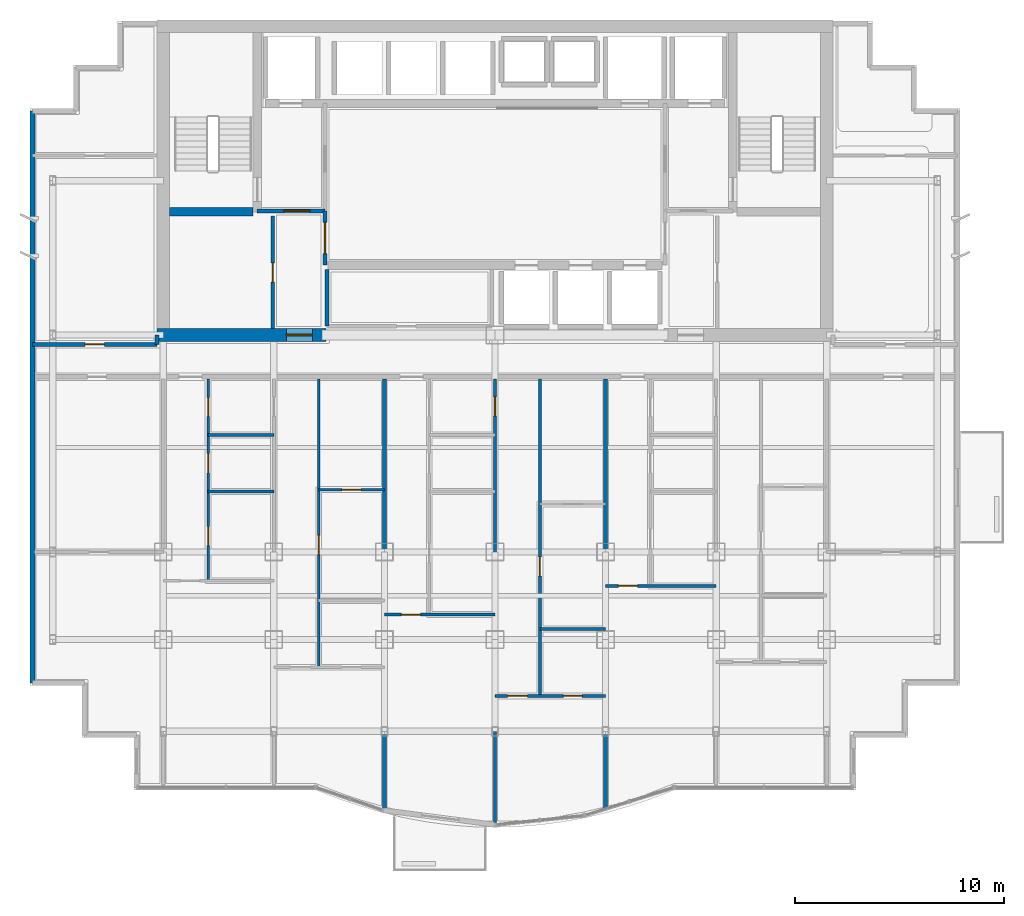
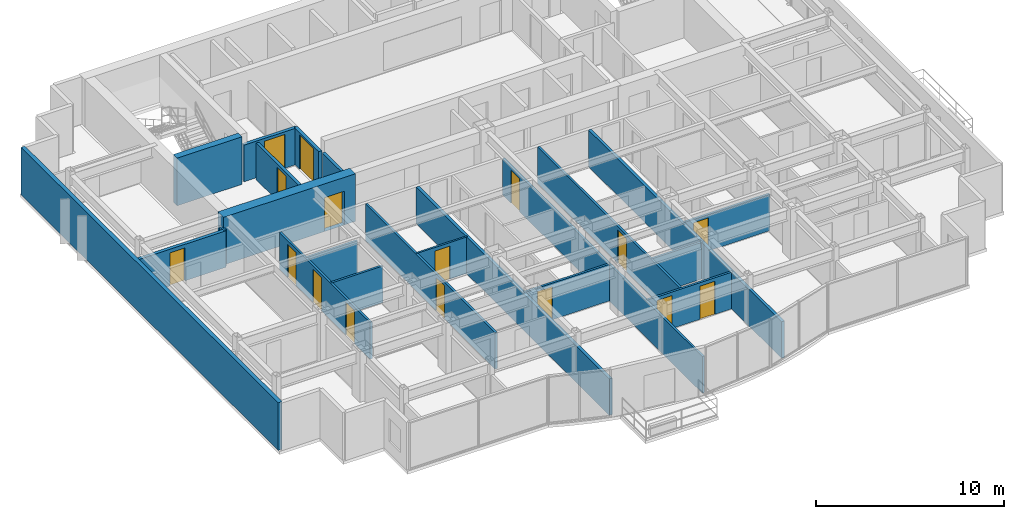
# One storey, part 6 of 11: 22 walls, 16 doors, 16 openings.
"""IFC4 building model written with IfcOpenShell, lengths in metres."""

from ifc_helpers import new_model, si_unit, direction, frame, frame_2d, origin, place, context, subcontext, project, spatial, rectangle, extrude, material, layer, layer_set, type_object, element, fill, save


model = new_model("IFC4")

# Units and contexts
model_context = context("Model", 3, precision=1e-05, world=origin(), true_north=direction((0.0, 1.0)))
body_context = subcontext(model_context, "Body", "Model", "MODEL_VIEW")
ifc_project = project(units=[si_unit("LENGTHUNIT", "METRE"), si_unit("AREAUNIT", "SQUARE_METRE"), si_unit("VOLUMEUNIT", "CUBIC_METRE"), si_unit("PLANEANGLEUNIT", "RADIAN"), si_unit("MASSUNIT", "GRAM", prefix="KILO")], contexts=[model_context])

# Site, building, storey
site_placement = place(None, origin())
site = spatial("IfcSite", under=ifc_project, at=site_placement, CompositionType="ELEMENT")
building_placement = place(site_placement, origin())
building = spatial("IfcBuilding", under=site, at=building_placement, Name="Qianlan Lanfeng Residences", CompositionType="ELEMENT")
storey_placement = place(building_placement, frame((0.0, 0.0, 165.60009765625)))
storey = spatial("IfcBuildingStorey", under=building, at=storey_placement, Name="L45", CompositionType="ELEMENT", Elevation=165.60009765625)

# Wall
ifc_material_1 = material(Name="Concrete C56", Category="concrete")
ifc_layer_1 = layer(ifc_material_1, 0.39990234375)
ifc_layer_set_1 = layer_set([ifc_layer_1], Name="Concrete C56")
wall_type_1 = type_object("IfcWallType", Name="CW-RC-400", PredefinedType="SHEAR", material=ifc_layer_set_1)
wall_1_placement = place(storey_placement, frame((10.89990234375, 31.10009765625, 0.0), z_axis=(0.0, 0.0, 1.0), x_axis=(1.0, 0.0, 0.0)))
element("IfcWall", 1, at=wall_1_placement, inside=storey, type_object=wall_type_1, Name="L45 Core Shear Wall ST1S", PredefinedType="SHEAR", context=body_context, shape_type="SweptSolid", body=[
    extrude(rectangle(XDim=4.0, YDim=0.39990234375, at=frame_2d((2.0, 0.0))), origin(), (0.0, 0.0, 1.0), 3.099853515625),
])

# Wall, opening, door
ifc_layer_2 = layer(ifc_material_1, 0.60009765625)
ifc_layer_set_2 = layer_set([ifc_layer_2], Name="Concrete C56")
wall_type_2 = type_object("IfcWallType", Name="CW-RC-600", PredefinedType="SHEAR", material=ifc_layer_set_2)
wall_2_placement = place(storey_placement, frame((10.300048828125, 25.199951171875, 0.0), z_axis=(0.0, 0.0, 1.0), x_axis=(1.0, 0.0, 0.0)))
wall_2 = element("IfcWall", 2, at=wall_2_placement, inside=storey, type_object=wall_type_2, Name="L45 Core Shear Wall SW", PredefinedType="SHEAR", context=body_context, shape_type="SweptSolid", body=[
    extrude(rectangle(XDim=8.099853515625, YDim=0.60009765625, at=frame_2d((4.0498046875, 0.0))), origin(), (0.0, 0.0, 1.0), 3.099853515625),
])
opening_1_placement = place(wall_2_placement, frame((6.199951171875, 0.0, 0.0)))
opening_1 = element("IfcOpeningElement", 3, at=opening_1_placement, cuts=wall_2, Name="Opening L45-D01", PredefinedType="OPENING", context=body_context, shape_type="SweptSolid", body=[
    extrude(rectangle(XDim=1.25, YDim=2.199951171875, at=frame_2d((0.625, 1.10009765625))), frame((0.0, 0.31005859375, 0.0), z_axis=(0.0, -1.0, 0.0), x_axis=(1.0, 0.0, 0.0)), (0.0, 0.0, 1.0), 0.6201171875),
])
ifc_material_2 = material(Name="Painted Galvanised Steel Fire Door", Category="steel")
door_type_1 = type_object("IfcDoorType", Name="DT-FFL", OperationType="NOTDEFINED", PredefinedType="DOOR", material=ifc_material_2)
door_1_placement = place(opening_1_placement, origin())
door_1 = element("IfcDoor", 4, at=door_1_placement, inside=storey, type_object=door_type_1, Name="L45 West Core Lobby Smoke Door L45-D01 (DT-FFL)", OperationType="SINGLE_SWING_RIGHT", OverallHeight=2.199951171875, OverallWidth=1.25, PredefinedType="DOOR", context=body_context, shape_type="SweptSolid", body=[
    extrude(rectangle(XDim=1.25, YDim=2.199951171875, at=frame_2d((0.625, 1.10009765625))), frame((0.0, 0.02490234375, 0.0), z_axis=(0.0, -1.0, 0.0), x_axis=(1.0, 0.0, 0.0)), (0.0, 0.0, 1.0), 0.050048828125),
])
fill(opening_1, door_1)

# Wall
ifc_material_3 = material(Name="Concrete C42", Category="concrete")
ifc_layer_3 = layer(ifc_material_3, 0.239990234375)
ifc_layer_set_3 = layer_set([ifc_layer_3], Name="Concrete C42")
wall_type_3 = type_object("IfcWallType", Name="EW-240", PredefinedType="SOLIDWALL", material=ifc_layer_set_3)
wall_3_placement = place(storey_placement, frame((4.320068359375, 35.929931640625, 0.0), z_axis=(0.0, 0.0, 1.0), x_axis=(0.0, -1.0, 0.0)))
element("IfcWall", 5, at=wall_3_placement, inside=storey, type_object=wall_type_3, Name="L45 Exterior Facade Spandrel Wall 21", PredefinedType="SOLIDWALL", context=body_context, shape_type="SweptSolid", body=[
    extrude(rectangle(XDim=27.409912109375, YDim=0.239990234375, at=frame_2d((13.705078125, 0.0))), origin(), (0.0, 0.0, 1.0), 3.099853515625),
])

# Wall, opening, door
ifc_material_4 = material(Name="Demountable Acoustic Framing Partition 110 mm")
ifc_layer_4 = layer(ifc_material_4, 0.110107421875)
ifc_layer_set_4 = layer_set([ifc_layer_4], Name="Demountable Acoustic Framing Partition 110 mm")
wall_type_4 = type_object("IfcWallType", Name="PW-110", PredefinedType="MOVABLE", material=ifc_layer_set_4)
wall_4_placement = place(storey_placement, frame((18.050048828125, 17.787109375, 0.0), z_axis=(0.0, 0.0, 1.0), x_axis=(1.0, 0.0, 0.0)))
wall_4 = element("IfcWall", 6, at=wall_4_placement, inside=storey, type_object=wall_type_4, Name="L45 U01 Wardrobe Split", PredefinedType="MOVABLE", context=body_context, shape_type="SweptSolid", body=[
    extrude(rectangle(XDim=3.14990234375, YDim=0.110107421875, at=frame_2d((1.574951171875, 0.0))), origin(), (0.0, 0.0, 1.0), 2.3798828125),
])
opening_2_placement = place(wall_4_placement, frame((1.114990234375, 0.0, 0.0)))
opening_2 = element("IfcOpeningElement", 7, at=opening_2_placement, cuts=wall_4, Name="Opening L45-D23", PredefinedType="OPENING", context=body_context, shape_type="SweptSolid", body=[
    extrude(rectangle(XDim=0.919921875, YDim=2.14990234375, at=frame_2d((0.4599609375, 1.074951171875))), frame((0.0, 0.06494140625, 0.0), z_axis=(0.0, -1.0, 0.0), x_axis=(1.0, 0.0, 0.0)), (0.0, 0.0, 1.0), 0.130126953125),
])
ifc_material_5 = material(Name="Glazed Timber Kitchen/Study Door", Category="wood")
door_type_2 = type_object("IfcDoorType", Name="DT-INT", OperationType="NOTDEFINED", PredefinedType="DOOR", material=ifc_material_5)
door_2_placement = place(opening_2_placement, origin())
door_2 = element("IfcDoor", 8, at=door_2_placement, inside=storey, type_object=door_type_2, Name="L45 U01 Dressing Inner Door L45-D23 (DT-INT)", OperationType="SINGLE_SWING_RIGHT", OverallHeight=2.14990234375, OverallWidth=0.919921875, PredefinedType="DOOR", context=body_context, shape_type="SweptSolid", body=[
    extrude(rectangle(XDim=0.919921875, YDim=2.14990234375, at=frame_2d((0.4599609375, 1.074951171875))), frame((0.0, 0.02490234375, 0.0), z_axis=(0.0, -1.0, 0.0), x_axis=(1.0, 0.0, 0.0)), (0.0, 0.0, 1.0), 0.050048828125),
])
fill(opening_2, door_2)

# Wall, openings, doors
ifc_material_6 = material(Name="Moisture-Resistant Gypsum Partition 135 mm")
ifc_layer_5 = layer(ifc_material_6, 0.135009765625)
ifc_layer_set_5 = layer_set([ifc_layer_5], Name="Moisture-Resistant Gypsum Partition 135 mm")
wall_type_5 = type_object("IfcWallType", Name="PW-135", PredefinedType="PARTITIONING", material=ifc_layer_set_5)
wall_5_placement = place(storey_placement, frame((12.75, 13.419921875, 0.0), z_axis=(0.0, 0.0, 1.0), x_axis=(0.0, 1.0, 0.0)))
wall_5 = element("IfcWall", 9, at=wall_5_placement, inside=storey, type_object=wall_type_5, Name="L45 U01 Entry Hall Spine", PredefinedType="PARTITIONING", context=body_context, shape_type="SweptSolid", body=[
    extrude(rectangle(XDim=9.68017578125, YDim=0.135009765625, at=frame_2d((4.840087890625, 0.0))), origin(), (0.0, 0.0, 1.0), 2.3798828125),
])
opening_3_placement = place(wall_5_placement, frame((1.679931640625, 0.0, 0.0)))
opening_3 = element("IfcOpeningElement", 10, at=opening_3_placement, cuts=wall_5, Name="Opening L45-D17", PredefinedType="OPENING", context=body_context, shape_type="SweptSolid", body=[
    extrude(rectangle(XDim=0.919921875, YDim=2.14990234375, at=frame_2d((0.4599609375, 1.074951171875))), frame((0.0, 0.07763671875, 0.0), z_axis=(0.0, -1.0, 0.0), x_axis=(1.0, 0.0, 0.0)), (0.0, 0.0, 1.0), 0.155029296875),
])
opening_4_placement = place(wall_5_placement, frame((5.169921875, 0.0, 0.0)))
opening_4 = element("IfcOpeningElement", 11, at=opening_4_placement, cuts=wall_5, Name="Opening L45-D18", PredefinedType="OPENING", context=body_context, shape_type="SweptSolid", body=[
    extrude(rectangle(XDim=0.919921875, YDim=2.14990234375, at=frame_2d((0.4599609375, 1.074951171875))), frame((0.0, 0.07763671875, 0.0), z_axis=(0.0, -1.0, 0.0), x_axis=(1.0, 0.0, 0.0)), (0.0, 0.0, 1.0), 0.155029296875),
])
opening_5_placement = place(wall_5_placement, frame((7.8798828125, 0.0, 0.0)))
opening_5 = element("IfcOpeningElement", 12, at=opening_5_placement, cuts=wall_5, Name="Opening L45-D19", PredefinedType="OPENING", context=body_context, shape_type="SweptSolid", body=[
    extrude(rectangle(XDim=0.89990234375, YDim=2.14990234375, at=frame_2d((0.449951171875, 1.074951171875))), frame((0.0, 0.07763671875, 0.0), z_axis=(0.0, -1.0, 0.0), x_axis=(1.0, 0.0, 0.0)), (0.0, 0.0, 1.0), 0.155029296875),
])
door_3_placement = place(opening_3_placement, origin())
door_3 = element("IfcDoor", 13, at=door_3_placement, inside=storey, type_object=door_type_2, Name="L45 U01 Study Door L45-D17 (DT-INT)", OperationType="SINGLE_SWING_RIGHT", OverallHeight=2.14990234375, OverallWidth=0.919921875, PredefinedType="DOOR", context=body_context, shape_type="SweptSolid", body=[
    extrude(rectangle(XDim=0.919921875, YDim=2.14990234375, at=frame_2d((0.4599609375, 1.074951171875))), frame((0.0, 0.02490234375, 0.0), z_axis=(0.0, -1.0, 0.0), x_axis=(1.0, 0.0, 0.0)), (0.0, 0.0, 1.0), 0.050048828125),
])
fill(opening_3, door_3)
door_4_placement = place(opening_4_placement, origin())
door_4 = element("IfcDoor", 14, at=door_4_placement, inside=storey, type_object=door_type_2, Name="L45 U01 Kitchen Door L45-D18 (DT-INT)", OperationType="SINGLE_SWING_LEFT", OverallHeight=2.14990234375, OverallWidth=0.919921875, PredefinedType="DOOR", context=body_context, shape_type="SweptSolid", body=[
    extrude(rectangle(XDim=0.919921875, YDim=2.14990234375, at=frame_2d((0.4599609375, 1.074951171875))), frame((0.0, 0.02490234375, 0.0), z_axis=(0.0, -1.0, 0.0), x_axis=(1.0, 0.0, 0.0)), (0.0, 0.0, 1.0), 0.050048828125),
])
fill(opening_4, door_4)
ifc_material_7 = material(Name="Moisture-Resistant Timber Leaf", Category="wood")
door_type_3 = type_object("IfcDoorType", Name="DT-WC", OperationType="NOTDEFINED", PredefinedType="DOOR", material=ifc_material_7)
door_5_placement = place(opening_5_placement, origin())
door_5 = element("IfcDoor", 15, at=door_5_placement, inside=storey, type_object=door_type_3, Name="L45 U01 Bathroom Door L45-D19 (DT-WC)", OperationType="SINGLE_SWING_RIGHT", OverallHeight=2.14990234375, OverallWidth=0.89990234375, PredefinedType="DOOR", context=body_context, shape_type="SweptSolid", body=[
    extrude(rectangle(XDim=0.89990234375, YDim=2.14990234375, at=frame_2d((0.449951171875, 1.074951171875))), frame((0.0, 0.02490234375, 0.0), z_axis=(0.0, -1.0, 0.0), x_axis=(1.0, 0.0, 0.0)), (0.0, 0.0, 1.0), 0.050048828125),
])
fill(opening_5, door_5)

# Walls
for number, where, z_axis, x_axis, name in (
    (16, (12.75, 17.699951171875, 0.0), (0.0, 0.0, 1.0), (1.0, 0.0, 0.0), "L45 U01 Kitchen South Wall"),
    (17, (12.75, 20.39990234375, 0.0), (0.0, 0.0, 1.0), (1.0, 0.0, 0.0), "L45 U01 Bathroom South Wall"),
):
    element("IfcWall", number, at=place(storey_placement, frame(where, z_axis=z_axis, x_axis=x_axis)), inside=storey, type_object=wall_type_5, Name=name, PredefinedType="PARTITIONING", context=body_context, shape_type="SweptSolid", body=[
        extrude(rectangle(XDim=3.14990234375, YDim=0.135009765625, at=frame_2d((1.574951171875, 0.0))), origin(), (0.0, 0.0, 1.0), 2.3798828125),
    ])

# Wall, opening, door
wall_6_placement = place(storey_placement, frame((18.050048828125, 9.27392578125, 0.0), z_axis=(0.0, 0.0, 1.0), x_axis=(0.0, 1.0, 0.0)))
wall_6 = element("IfcWall", 18, at=wall_6_placement, inside=storey, type_object=wall_type_5, Name="L45 U01 Master Passage Wall", PredefinedType="PARTITIONING", context=body_context, shape_type="SweptSolid", body=[
    extrude(rectangle(XDim=13.826171875, YDim=0.135009765625, at=frame_2d((6.9130859375, 0.0))), origin(), (0.0, 0.0, 1.0), 2.3798828125),
])
opening_6_placement = place(wall_6_placement, frame((5.39599609375, 0.0, 0.0)))
opening_6 = element("IfcOpeningElement", 19, at=opening_6_placement, cuts=wall_6, Name="Opening L45-D22", PredefinedType="OPENING", context=body_context, shape_type="SweptSolid", body=[
    extrude(rectangle(XDim=0.919921875, YDim=2.14990234375, at=frame_2d((0.4599609375, 1.074951171875))), frame((0.0, 0.07763671875, 0.0), z_axis=(0.0, -1.0, 0.0), x_axis=(1.0, 0.0, 0.0)), (0.0, 0.0, 1.0), 0.155029296875),
])
door_6_placement = place(opening_6_placement, origin())
door_6 = element("IfcDoor", 20, at=door_6_placement, inside=storey, type_object=door_type_2, Name="L45 U01 Wardrobe Door L45-D22 (DT-INT)", OperationType="SINGLE_SWING_LEFT", OverallHeight=2.14990234375, OverallWidth=0.919921875, PredefinedType="DOOR", context=body_context, shape_type="SweptSolid", body=[
    extrude(rectangle(XDim=0.919921875, YDim=2.14990234375, at=frame_2d((0.4599609375, 1.074951171875))), frame((0.0, 0.02490234375, 0.0), z_axis=(0.0, -1.0, 0.0), x_axis=(1.0, 0.0, 0.0)), (0.0, 0.0, 1.0), 0.050048828125),
])
fill(opening_6, door_6)

wall_7_placement = place(storey_placement, frame((26.5, 1.820068359375, 0.0), z_axis=(0.0, 0.0, 1.0), x_axis=(0.0, 1.0, 0.0)))
wall_7 = element("IfcWall", 21, at=wall_7_placement, inside=storey, type_object=wall_type_5, Name="L45 U02 Bay Spine Wall 1", PredefinedType="PARTITIONING", context=body_context, shape_type="SweptSolid", body=[
    extrude(rectangle(XDim=21.280029296875, YDim=0.135009765625, at=frame_2d((10.64013671875, 0.0))), origin(), (0.0, 0.0, 1.0), 2.3798828125),
])
opening_7_placement = place(wall_7_placement, frame((19.4951171875, 0.0, 0.0)))
opening_7 = element("IfcOpeningElement", 22, at=opening_7_placement, cuts=wall_7, Name="Opening L45-D25", PredefinedType="OPENING", context=body_context, shape_type="SweptSolid", body=[
    extrude(rectangle(XDim=0.919921875, YDim=2.14990234375, at=frame_2d((0.4599609375, 1.074951171875))), frame((0.0, 0.07763671875, 0.0), z_axis=(0.0, -1.0, 0.0), x_axis=(1.0, 0.0, 0.0)), (0.0, 0.0, 1.0), 0.155029296875),
])
door_7_placement = place(opening_7_placement, origin())
door_7 = element("IfcDoor", 23, at=door_7_placement, inside=storey, type_object=door_type_2, Name="L45 U02 Internal Hall Door L45-D25 (DT-INT)", OperationType="SINGLE_SWING_RIGHT", OverallHeight=2.14990234375, OverallWidth=0.919921875, PredefinedType="DOOR", context=body_context, shape_type="SweptSolid", body=[
    extrude(rectangle(XDim=0.919921875, YDim=2.14990234375, at=frame_2d((0.4599609375, 1.074951171875))), frame((0.0, 0.02490234375, 0.0), z_axis=(0.0, -1.0, 0.0), x_axis=(1.0, 0.0, 0.0)), (0.0, 0.0, 1.0), 0.050048828125),
])
fill(opening_7, door_7)

wall_8_placement = place(storey_placement, frame((21.199951171875, 11.799072265625, 0.0), z_axis=(0.0, 0.0, 1.0), x_axis=(1.0, 0.0, 0.0)))
wall_8 = element("IfcWall", 24, at=wall_8_placement, inside=storey, type_object=wall_type_5, Name="L45 U02 Living Divider", PredefinedType="PARTITIONING", context=body_context, shape_type="SweptSolid", body=[
    extrude(rectangle(XDim=5.300048828125, YDim=0.135009765625, at=frame_2d((2.64990234375, 0.0))), origin(), (0.0, 0.0, 1.0), 2.3798828125),
])
opening_8_placement = place(wall_8_placement, frame((0.81494140625, 0.0, 0.0)))
opening_8 = element("IfcOpeningElement", 25, at=opening_8_placement, cuts=wall_8, Name="Opening L45-D26", PredefinedType="OPENING", context=body_context, shape_type="SweptSolid", body=[
    extrude(rectangle(XDim=0.919921875, YDim=2.14990234375, at=frame_2d((0.4599609375, 1.074951171875))), frame((0.0, 0.07763671875, 0.0), z_axis=(0.0, -1.0, 0.0), x_axis=(1.0, 0.0, 0.0)), (0.0, 0.0, 1.0), 0.155029296875),
])
door_8_placement = place(opening_8_placement, origin())
door_8 = element("IfcDoor", 26, at=door_8_placement, inside=storey, type_object=door_type_2, Name="L45 U02 Living Passage Door L45-D26 (DT-INT)", OperationType="SINGLE_SWING_LEFT", OverallHeight=2.14990234375, OverallWidth=0.919921875, PredefinedType="DOOR", context=body_context, shape_type="SweptSolid", body=[
    extrude(rectangle(XDim=0.919921875, YDim=2.14990234375, at=frame_2d((0.4599609375, 1.074951171875))), frame((0.0, 0.02490234375, 0.0), z_axis=(0.0, -1.0, 0.0), x_axis=(1.0, 0.0, 0.0)), (0.0, 0.0, 1.0), 0.050048828125),
])
fill(opening_8, door_8)

# Wall, openings, doors
wall_9_placement = place(storey_placement, frame((26.5, 7.89892578125, 0.0), z_axis=(0.0, 0.0, 1.0), x_axis=(1.0, 0.0, 0.0)))
wall_9 = element("IfcWall", 27, at=wall_9_placement, inside=storey, type_object=wall_type_5, Name="L45 U02 Master Bedroom North Wall", PredefinedType="PARTITIONING", context=body_context, shape_type="SweptSolid", body=[
    extrude(rectangle(XDim=5.300048828125, YDim=0.135009765625, at=frame_2d((2.64990234375, 0.0))), origin(), (0.0, 0.0, 1.0), 2.3798828125),
])
opening_9_placement = place(wall_9_placement, frame((0.60009765625, 0.0, 0.0)))
opening_9 = element("IfcOpeningElement", 28, at=opening_9_placement, cuts=wall_9, Name="Opening L45-D30", PredefinedType="OPENING", context=body_context, shape_type="SweptSolid", body=[
    extrude(rectangle(XDim=0.949951171875, YDim=2.14990234375, at=frame_2d((0.47509765625, 1.074951171875))), frame((0.0, 0.07763671875, 0.0), z_axis=(0.0, -1.0, 0.0), x_axis=(1.0, 0.0, 0.0)), (0.0, 0.0, 1.0), 0.155029296875),
])
opening_10_placement = place(wall_9_placement, frame((3.27490234375, 0.0, 0.0)))
opening_10 = element("IfcOpeningElement", 29, at=opening_10_placement, cuts=wall_9, Name="Opening L45-D31", PredefinedType="OPENING", context=body_context, shape_type="SweptSolid", body=[
    extrude(rectangle(XDim=0.89990234375, YDim=2.14990234375, at=frame_2d((0.449951171875, 1.074951171875))), frame((0.0, 0.07763671875, 0.0), z_axis=(0.0, -1.0, 0.0), x_axis=(1.0, 0.0, 0.0)), (0.0, 0.0, 1.0), 0.155029296875),
])
ifc_material_8 = material(Name="Painted Solid-Core Timber Leaf", Category="wood")
door_type_4 = type_object("IfcDoorType", Name="DT-BED", OperationType="NOTDEFINED", PredefinedType="DOOR", material=ifc_material_8)
door_9_placement = place(opening_9_placement, frame((0.949951171875, 0.0, 0.0), z_axis=(0.0, 0.0, 1.0), x_axis=(-1.0, 0.0, 0.0)))
door_9 = element("IfcDoor", 30, at=door_9_placement, inside=storey, type_object=door_type_4, Name="L45 U02 Master Bedroom Door L45-D30 (DT-BED)", OperationType="SINGLE_SWING_RIGHT", OverallHeight=2.14990234375, OverallWidth=0.949951171875, PredefinedType="DOOR", context=body_context, shape_type="SweptSolid", body=[
    extrude(rectangle(XDim=0.949951171875, YDim=2.14990234375, at=frame_2d((0.47509765625, 1.074951171875))), frame((0.0, 0.02490234375, 0.0), z_axis=(0.0, -1.0, 0.0), x_axis=(1.0, 0.0, 0.0)), (0.0, 0.0, 1.0), 0.050048828125),
])
fill(opening_9, door_9)
door_10_placement = place(opening_10_placement, origin())
door_10 = element("IfcDoor", 31, at=door_10_placement, inside=storey, type_object=door_type_3, Name="L45 U02 En-Suite Bathroom Door L45-D31 (DT-WC)", OperationType="SINGLE_SWING_RIGHT", OverallHeight=2.14990234375, OverallWidth=0.89990234375, PredefinedType="DOOR", context=body_context, shape_type="SweptSolid", body=[
    extrude(rectangle(XDim=0.89990234375, YDim=2.14990234375, at=frame_2d((0.449951171875, 1.074951171875))), frame((0.0, 0.02490234375, 0.0), z_axis=(0.0, -1.0, 0.0), x_axis=(1.0, 0.0, 0.0)), (0.0, 0.0, 1.0), 0.050048828125),
])
fill(opening_10, door_10)

# Wall, opening, door
wall_10_placement = place(storey_placement, frame((28.64990234375, 7.89892578125, 0.0), z_axis=(0.0, 0.0, 1.0), x_axis=(0.0, 1.0, 0.0)))
wall_10 = element("IfcWall", 32, at=wall_10_placement, inside=storey, type_object=wall_type_5, Name="L45 U02 Master Passage Wall", PredefinedType="PARTITIONING", context=body_context, shape_type="SweptSolid", body=[
    extrude(rectangle(XDim=15.201171875, YDim=0.135009765625, at=frame_2d((7.6005859375, 0.0))), origin(), (0.0, 0.0, 1.0), 2.3798828125),
])
opening_11_placement = place(wall_10_placement, frame((5.739990234375, 0.0, 0.0)))
opening_11 = element("IfcOpeningElement", 33, at=opening_11_placement, cuts=wall_10, Name="Opening L45-D32", PredefinedType="OPENING", context=body_context, shape_type="SweptSolid", body=[
    extrude(rectangle(XDim=0.919921875, YDim=2.14990234375, at=frame_2d((0.4599609375, 1.074951171875))), frame((0.0, 0.07763671875, 0.0), z_axis=(0.0, -1.0, 0.0), x_axis=(1.0, 0.0, 0.0)), (0.0, 0.0, 1.0), 0.155029296875),
])
door_11_placement = place(opening_11_placement, origin())
door_11 = element("IfcDoor", 34, at=door_11_placement, inside=storey, type_object=door_type_2, Name="L45 U02 Wardrobe Door L45-D32 (DT-INT)", OperationType="SINGLE_SWING_LEFT", OverallHeight=2.14990234375, OverallWidth=0.919921875, PredefinedType="DOOR", context=body_context, shape_type="SweptSolid", body=[
    extrude(rectangle(XDim=0.919921875, YDim=2.14990234375, at=frame_2d((0.4599609375, 1.074951171875))), frame((0.0, 0.02490234375, 0.0), z_axis=(0.0, -1.0, 0.0), x_axis=(1.0, 0.0, 0.0)), (0.0, 0.0, 1.0), 0.050048828125),
])
fill(opening_11, door_11)

# Wall
wall_11_placement = place(storey_placement, frame((28.64990234375, 11.09912109375, 0.0), z_axis=(0.0, 0.0, 1.0), x_axis=(1.0, 0.0, 0.0)))
element("IfcWall", 35, at=wall_11_placement, inside=storey, type_object=wall_type_5, Name="L45 U02 En-Suite North Wall", PredefinedType="PARTITIONING", context=body_context, shape_type="SweptSolid", body=[
    extrude(rectangle(XDim=3.150146484375, YDim=0.135009765625, at=frame_2d((1.5751953125, 0.0))), origin(), (0.0, 0.0, 1.0), 2.3798828125),
])

# Wall, opening, door
wall_12_placement = place(storey_placement, frame((31.800048828125, 13.174072265625, 0.0), z_axis=(0.0, 0.0, 1.0), x_axis=(1.0, 0.0, 0.0)))
wall_12 = element("IfcWall", 36, at=wall_12_placement, inside=storey, type_object=wall_type_5, Name="L45 U03 Living Divider", PredefinedType="PARTITIONING", context=body_context, shape_type="SweptSolid", body=[
    extrude(rectangle(XDim=5.300048828125, YDim=0.135009765625, at=frame_2d((2.64990234375, 0.0))), origin(), (0.0, 0.0, 1.0), 2.3798828125),
])
opening_12_placement = place(wall_12_placement, frame((0.614990234375, 0.0, 0.0)))
opening_12 = element("IfcOpeningElement", 37, at=opening_12_placement, cuts=wall_12, Name="Opening L45-D36", PredefinedType="OPENING", context=body_context, shape_type="SweptSolid", body=[
    extrude(rectangle(XDim=0.919921875, YDim=2.14990234375, at=frame_2d((0.4599609375, 1.074951171875))), frame((0.0, 0.07763671875, 0.0), z_axis=(0.0, -1.0, 0.0), x_axis=(1.0, 0.0, 0.0)), (0.0, 0.0, 1.0), 0.155029296875),
])
door_12_placement = place(opening_12_placement, frame((0.919921875, 0.0, 0.0), z_axis=(0.0, 0.0, 1.0), x_axis=(-1.0, 0.0, 0.0)))
door_12 = element("IfcDoor", 38, at=door_12_placement, inside=storey, type_object=door_type_2, Name="L45 U03 Living Passage Door L45-D36 (DT-INT)", OperationType="SINGLE_SWING_RIGHT", OverallHeight=2.14990234375, OverallWidth=0.919921875, PredefinedType="DOOR", context=body_context, shape_type="SweptSolid", body=[
    extrude(rectangle(XDim=0.919921875, YDim=2.14990234375, at=frame_2d((0.4599609375, 1.074951171875))), frame((0.0, 0.02490234375, 0.0), z_axis=(0.0, -1.0, 0.0), x_axis=(1.0, 0.0, 0.0)), (0.0, 0.0, 1.0), 0.050048828125),
])
fill(opening_12, door_12)

ifc_material_9 = material(Name="Double-Layer Acoustic Gypsum Stud Wall 180 mm")
ifc_layer_6 = layer(ifc_material_9, 0.179931640625)
ifc_layer_set_6 = layer_set([ifc_layer_6], Name="Double-Layer Acoustic Gypsum Stud Wall 180 mm")
wall_type_6 = type_object("IfcWallType", Name="PW-180", PredefinedType="PARTITIONING", material=ifc_layer_set_6)
wall_13_placement = place(storey_placement, frame((15.85009765625, 25.5, 0.0), z_axis=(0.0, 0.0, 1.0), x_axis=(0.0, 1.0, 0.0)))
wall_13 = element("IfcWall", 39, at=wall_13_placement, inside=storey, type_object=wall_type_6, Name="L45 Core West Service Room Wall", PredefinedType="PARTITIONING", context=body_context, shape_type="SweptSolid", body=[
    extrude(rectangle(XDim=5.39990234375, YDim=0.179931640625, at=frame_2d((2.699951171875, 0.0))), origin(), (0.0, 0.0, 1.0), 2.3798828125),
])
opening_13_placement = place(wall_13_placement, frame((2.239990234375, 0.0, 0.0)))
opening_13 = element("IfcOpeningElement", 40, at=opening_13_placement, cuts=wall_13, Name="Opening L45-D09", PredefinedType="OPENING", context=body_context, shape_type="SweptSolid", body=[
    extrude(rectangle(XDim=0.919921875, YDim=2.14990234375, at=frame_2d((0.4599609375, 1.074951171875))), frame((0.0, 0.10009765625, 0.0), z_axis=(0.0, -1.0, 0.0), x_axis=(1.0, 0.0, 0.0)), (0.0, 0.0, 1.0), 0.199951171875),
])
door_13_placement = place(opening_13_placement, origin())
door_13 = element("IfcDoor", 41, at=door_13_placement, inside=storey, type_object=door_type_2, Name="L45 Core Storage Door L45-D09 (DT-INT)", OperationType="SINGLE_SWING_RIGHT", OverallHeight=2.14990234375, OverallWidth=0.919921875, PredefinedType="DOOR", context=body_context, shape_type="SweptSolid", body=[
    extrude(rectangle(XDim=0.919921875, YDim=2.14990234375, at=frame_2d((0.4599609375, 1.074951171875))), frame((0.0, 0.02490234375, 0.0), z_axis=(0.0, -1.0, 0.0), x_axis=(1.0, 0.0, 0.0)), (0.0, 0.0, 1.0), 0.050048828125),
])
fill(opening_13, door_13)

# Walls
wall_14_placement = place(storey_placement, frame((18.449951171875, 25.6201171875, 0.0), z_axis=(0.0, 0.0, 1.0), x_axis=(0.0, 1.0, 0.0)))
element("IfcWall", 42, at=wall_14_placement, inside=storey, type_object=wall_type_6, Name="L45 Reclaimed Low-Bank Room West Wall", PredefinedType="PARTITIONING", context=body_context, shape_type="SweptSolid", body=[
    extrude(rectangle(XDim=2.72998046875, YDim=0.179931640625, at=frame_2d((1.364990234375, 0.0))), origin(), (0.0, 0.0, 1.0), 2.3798828125),
])
wall_15_placement = place(storey_placement, frame((21.199951171875, 2.508056640625, 0.0), z_axis=(0.0, 0.0, 1.0), x_axis=(0.0, 1.0, 0.0)))
element("IfcWall", 43, at=wall_15_placement, inside=storey, type_object=wall_type_6, Name="L45 Inter-Tenancy Party Wall 2", PredefinedType="PARTITIONING", context=body_context, shape_type="SweptSolid", body=[
    extrude(rectangle(XDim=20.592041015625, YDim=0.179931640625, at=frame_2d((10.2958984375, 0.0))), origin(), (0.0, 0.0, 1.0), 2.3798828125),
])
wall_16_placement = place(storey_placement, frame((31.800048828125, 2.509033203125, 0.0), z_axis=(0.0, 0.0, 1.0), x_axis=(0.0, 1.0, 0.0)))
element("IfcWall", 44, at=wall_16_placement, inside=storey, type_object=wall_type_6, Name="L45 Inter-Tenancy Party Wall 3", PredefinedType="PARTITIONING", context=body_context, shape_type="SweptSolid", body=[
    extrude(rectangle(XDim=20.591064453125, YDim=0.179931640625, at=frame_2d((10.29541015625, 0.0))), origin(), (0.0, 0.0, 1.0), 2.3798828125),
])

# Wall, opening, door
ifc_material_10 = material(Name="Autoclaved Aerated Concrete Blockwork 200 mm", Category="masonry")
ifc_layer_7 = layer(ifc_material_10, 0.199951171875)
ifc_layer_set_7 = layer_set([ifc_layer_7], Name="Autoclaved Aerated Concrete Blockwork 200 mm")
wall_type_7 = type_object("IfcWallType", Name="PW-200", PredefinedType="PARTITIONING", material=ifc_layer_set_7)
wall_17_placement = place(storey_placement, frame((15.10009765625, 31.14990234375, 0.0), z_axis=(0.0, 0.0, 1.0), x_axis=(1.0, 0.0, 0.0)))
wall_17 = element("IfcWall", 45, at=wall_17_placement, inside=storey, type_object=wall_type_7, Name="L45 Firefighting Lobby 1 South Wall", PredefinedType="PARTITIONING", context=body_context, shape_type="SweptSolid", body=[
    extrude(rectangle(XDim=3.25, YDim=0.199951171875, at=frame_2d((1.625, 0.0))), origin(), (0.0, 0.0, 1.0), 2.3798828125),
])
opening_14_placement = place(wall_17_placement, frame((1.27490234375, 0.0, 0.0)))
opening_14 = element("IfcOpeningElement", 46, at=opening_14_placement, cuts=wall_17, Name="Opening L45-D03", PredefinedType="OPENING", context=body_context, shape_type="SweptSolid", body=[
    extrude(rectangle(XDim=1.25, YDim=2.199951171875, at=frame_2d((0.625, 1.10009765625))), frame((0.0, 0.10986328125, 0.0), z_axis=(0.0, -1.0, 0.0), x_axis=(1.0, 0.0, 0.0)), (0.0, 0.0, 1.0), 0.219970703125),
])
door_14_placement = place(opening_14_placement, origin())
door_14 = element("IfcDoor", 47, at=door_14_placement, inside=storey, type_object=door_type_1, Name="L45 Firefighting Lobby 1 Entry Door L45-D03 (DT-FFL)", OperationType="SINGLE_SWING_LEFT", OverallHeight=2.199951171875, OverallWidth=1.25, PredefinedType="DOOR", context=body_context, shape_type="SweptSolid", body=[
    extrude(rectangle(XDim=1.25, YDim=2.199951171875, at=frame_2d((0.625, 1.10009765625))), frame((0.0, 0.02490234375, 0.0), z_axis=(0.0, -1.0, 0.0), x_axis=(1.0, 0.0, 0.0)), (0.0, 0.0, 1.0), 0.050048828125),
])
fill(opening_14, door_14)

wall_18_placement = place(storey_placement, frame((18.35009765625, 28.550048828125, 0.0), z_axis=(0.0, 0.0, 1.0), x_axis=(0.0, 1.0, 0.0)))
wall_18 = element("IfcWall", 48, at=wall_18_placement, inside=storey, type_object=wall_type_7, Name="L45 Lift Lobby West Connector Wall", PredefinedType="PARTITIONING", context=body_context, shape_type="SweptSolid", body=[
    extrude(rectangle(XDim=2.599853515625, YDim=0.199951171875, at=frame_2d((1.2998046875, 0.0))), origin(), (0.0, 0.0, 1.0), 2.3798828125),
])
opening_15_placement = place(wall_18_placement, frame((0.550048828125, 0.0, 0.0)))
opening_15 = element("IfcOpeningElement", 49, at=opening_15_placement, cuts=wall_18, Name="Opening L45-D11", PredefinedType="OPENING", context=body_context, shape_type="SweptSolid", body=[
    extrude(rectangle(XDim=1.5, YDim=2.25, at=frame_2d((0.75, 1.125))), frame((0.0, 0.10986328125, 0.0), z_axis=(0.0, -1.0, 0.0), x_axis=(1.0, 0.0, 0.0)), (0.0, 0.0, 1.0), 0.219970703125),
])
ifc_material_11 = material(Name="Timber Veneer Acoustic Fire Door", Category="wood")
door_type_5 = type_object("IfcDoorType", Name="DT-COR1", OperationType="NOTDEFINED", PredefinedType="DOOR", material=ifc_material_11)
door_15_placement = place(opening_15_placement, origin())
door_15 = element("IfcDoor", 50, at=door_15_placement, inside=storey, type_object=door_type_5, Name="L45 Lift Lobby West Portal Door L45-D11 (DT-COR1)", OperationType="DOUBLE_DOOR_SINGLE_SWING", OverallHeight=2.25, OverallWidth=1.5, PredefinedType="DOOR", context=body_context, shape_type="SweptSolid", body=[
    extrude(rectangle(XDim=1.5, YDim=2.25, at=frame_2d((0.75, 1.125))), frame((0.0, 0.02490234375, 0.0), z_axis=(0.0, -1.0, 0.0), x_axis=(1.0, 0.0, 0.0)), (0.0, 0.0, 1.0), 0.050048828125),
])
fill(opening_15, door_15)

wall_19_placement = place(storey_placement, frame((4.320068359375, 24.75, 0.0), z_axis=(0.0, 0.0, 1.0), x_axis=(1.0, 0.0, 0.0)))
wall_19 = element("IfcWall", 51, at=wall_19_placement, inside=storey, type_object=wall_type_7, Name="L45 Corridor NW Wall", PredefinedType="PARTITIONING", context=body_context, shape_type="SweptSolid", body=[
    extrude(rectangle(XDim=5.97998046875, YDim=0.199951171875, at=frame_2d((2.989990234375, 0.0))), origin(), (0.0, 0.0, 1.0), 2.3798828125),
])
opening_16_placement = place(wall_19_placement, frame((2.530029296875, 0.0, 0.0)))
opening_16 = element("IfcOpeningElement", 52, at=opening_16_placement, cuts=wall_19, Name="Opening L45-D49", PredefinedType="OPENING", context=body_context, shape_type="SweptSolid", body=[
    extrude(rectangle(XDim=0.919921875, YDim=2.14990234375, at=frame_2d((0.4599609375, 1.074951171875))), frame((0.0, 0.10986328125, 0.0), z_axis=(0.0, -1.0, 0.0), x_axis=(1.0, 0.0, 0.0)), (0.0, 0.0, 1.0), 0.219970703125),
])
door_16_placement = place(opening_16_placement, origin())
door_16 = element("IfcDoor", 53, at=door_16_placement, inside=storey, type_object=door_type_2, Name="L45 WW Amenity Salon Door L45-D49 (DT-INT)", OperationType="SINGLE_SWING_RIGHT", OverallHeight=2.14990234375, OverallWidth=0.919921875, PredefinedType="DOOR", context=body_context, shape_type="SweptSolid", body=[
    extrude(rectangle(XDim=0.919921875, YDim=2.14990234375, at=frame_2d((0.4599609375, 1.074951171875))), frame((0.0, 0.02490234375, 0.0), z_axis=(0.0, -1.0, 0.0), x_axis=(1.0, 0.0, 0.0)), (0.0, 0.0, 1.0), 0.050048828125),
])
fill(opening_16, door_16)

# Wall
wall_20_placement = place(storey_placement, frame((10.300048828125, 24.75, 0.0), z_axis=(0.0, 0.0, 1.0), x_axis=(0.0, 1.0, 0.0)))
element("IfcWall", 54, at=wall_20_placement, inside=storey, type_object=wall_type_7, Name="L45 NW Wing Core Return Wall", PredefinedType="PARTITIONING", context=body_context, shape_type="SweptSolid", body=[
    extrude(rectangle(XDim=0.449951171875, YDim=0.199951171875, at=frame_2d((0.22509765625, 0.0))), origin(), (0.0, 0.0, 1.0), 2.3798828125),
])

save(model, "model.ifc")
